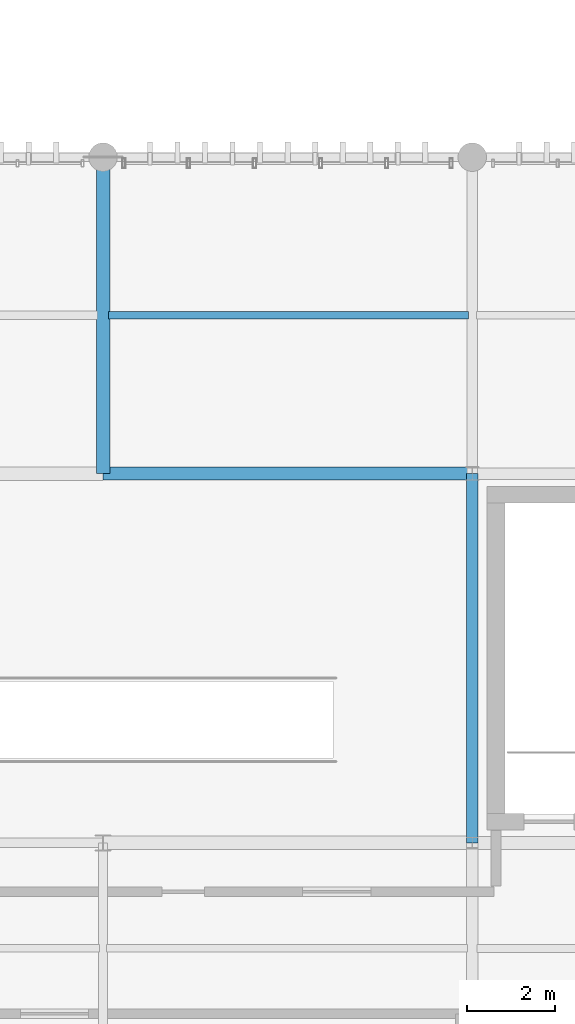
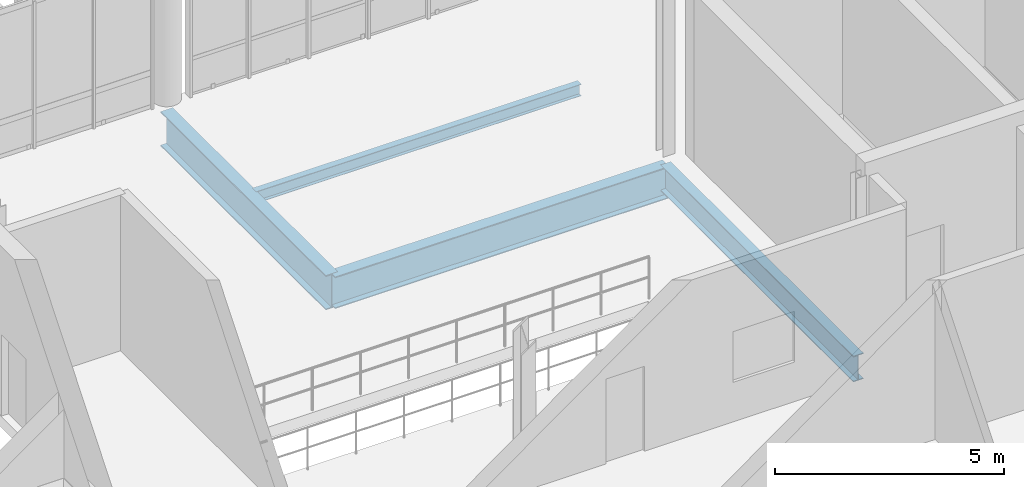
# One storey, part 27 of 66: 4 beams.
"""IFC4 building model written with IfcOpenShell, lengths in metres."""

import ifcopenshell
import ifcopenshell.guid

model = None  # the IFC model being written
_history = None  # IfcOwnerHistory: only IFC2X3 demands one
_inside = {}  # id of a spatial element -> (the spatial element, [elements in it])
_under = {}  # id of a project, library or spatial element -> (it, [spatial elements below it])
_declared = {}  # id of a project -> (the project, [libraries it declares])
_typed = {}  # id of a type object -> (the type object, [elements of that type])
_made_of = {}  # id of a material, layer set ... -> (it, [elements and type objects made of it])


def new_model(schema):
    """Start an empty IFC model of exactly this schema.

    Asked for "IFC4X3", IfcOpenShell would pick the latest addendum, in which some entities
    have other attributes; the version numbers below select the first issue.
    IFC2X3 requires an IfcOwnerHistory on every rooted entity: one is made here for all.
    """
    global model, _history
    if schema == "IFC4X3":
        model = ifcopenshell.file(schema_version=(4, 3, 0, 0))
    else:
        model = ifcopenshell.file(schema=schema)
    _inside.clear()
    _under.clear()
    _declared.clear()
    _typed.clear()
    _made_of.clear()
    _history = None
    if model.schema == "IFC2X3":
        org = make("IfcOrganization", Name="unknown")
        user = make(
            "IfcPersonAndOrganization",
            ThePerson=make("IfcPerson", FamilyName="unknown"),
            TheOrganization=org,
        )
        app = make(
            "IfcApplication",
            ApplicationDeveloper=org,
            Version="unknown",
            ApplicationFullName="unknown",
            ApplicationIdentifier="unknown",
        )
        _history = make(
            "IfcOwnerHistory",
            OwningUser=user,
            OwningApplication=app,
            ChangeAction="ADDED",
            CreationDate=0,
        )
    return model


def make(cls, **values):
    """One entity of the class cls with the attributes given. An attribute that is None is left unset."""
    return model.create_entity(
        cls, **{name: value for name, value in values.items() if value is not None}
    )


def rooted(cls, **values):
    """An entity with a GlobalId (a new one), such as an element, a storey or a relation."""
    return make(cls, GlobalId=ifcopenshell.guid.new(), OwnerHistory=_history, **values)


def si_unit(unit_type, name, prefix=None):
    """IfcSIUnit, for example si_unit("LENGTHUNIT", "METRE", prefix="MILLI")."""
    return make("IfcSIUnit", UnitType=unit_type, Prefix=prefix, Name=name)


def assignment(units):
    """IfcUnitAssignment: the units of a project."""
    return None if units is None else make("IfcUnitAssignment", Units=units)


def point(xyz):
    """IfcCartesianPoint."""
    return None if xyz is None else make("IfcCartesianPoint", Coordinates=xyz)


def direction(xyz):
    """IfcDirection."""
    return None if xyz is None else make("IfcDirection", DirectionRatios=xyz)


def frame(location, z_axis=None, x_axis=None):
    """IfcAxis2Placement3D, a coordinate frame: its origin and axes. An axis left out is left unset."""
    return make(
        "IfcAxis2Placement3D",
        Location=point(location),
        Axis=direction(z_axis),
        RefDirection=direction(x_axis),
    )


def frame_2d(location, x_axis=None):
    """IfcAxis2Placement2D, a coordinate frame in the plane: its origin and x axis."""
    return make(
        "IfcAxis2Placement2D", Location=point(location), RefDirection=direction(x_axis)
    )


def origin_with_axes():
    """The frame at (0, 0, 0) with the z axis (0, 0, 1) and the x axis (1, 0, 0) written out."""
    return frame((0.0, 0.0, 0.0), z_axis=(0.0, 0.0, 1.0), x_axis=(1.0, 0.0, 0.0))


def origin_2d_with_axis():
    """The frame at (0, 0) in the plane with the x axis (1, 0) written out."""
    return frame_2d((0.0, 0.0), x_axis=(1.0, 0.0))


def place(relative_to, where):
    """IfcLocalPlacement: puts the frame where relative to a parent placement (None: the world)."""
    return make(
        "IfcLocalPlacement", PlacementRelTo=relative_to, RelativePlacement=where
    )


def context(
    kind, dimensions, precision=None, world=None, true_north=None, identifier=None
):
    """IfcGeometricRepresentationContext, for example the 3D "Model" context."""
    return make(
        "IfcGeometricRepresentationContext",
        ContextIdentifier=identifier,
        ContextType=kind,
        CoordinateSpaceDimension=dimensions,
        Precision=precision,
        WorldCoordinateSystem=world,
        TrueNorth=true_north,
    )


def subcontext(parent, identifier, kind, view, scale=None):
    """IfcGeometricRepresentationSubContext, for example "Body" below "Model"."""
    return make(
        "IfcGeometricRepresentationSubContext",
        ContextIdentifier=identifier,
        ContextType=kind,
        ParentContext=parent,
        TargetScale=scale,
        TargetView=view,
    )


def project(units=None, contexts=None):
    """IfcProject with its units and contexts."""
    return rooted(
        "IfcProject",
        Name="project",
        RepresentationContexts=contexts,
        UnitsInContext=assignment(units),
    )


def spatial(cls, under=None, at=None, **own):
    """A site, building, storey or space (cls), placed at a placement, below another one or the project."""
    s = rooted(cls, ObjectPlacement=at, **own)
    if under is not None:
        _under.setdefault(under.id(), (under, []))[1].append(s)
    return s


def profile(cls, at=None, kind="AREA", **sizes):
    """A parametric profile (cls). Its sizes go by their IFC names, for example OverallWidth=200.0."""
    return make(cls, ProfileType=kind, Position=at, **sizes)


def i_section(**sizes):
    """IfcIShapeProfileDef."""
    return profile("IfcIShapeProfileDef", **sizes)


def extrude(swept, where, along, depth):
    """IfcExtrudedAreaSolid: the profile swept, set in the frame where, extruded along a direction by depth."""
    return make(
        "IfcExtrudedAreaSolid",
        SweptArea=swept,
        Position=where,
        ExtrudedDirection=direction(along),
        Depth=depth,
    )


def shape(context_of_items, identifier, shape_type, items):
    """IfcShapeRepresentation: the items that make up one representation, for example the "Body"."""
    return make(
        "IfcShapeRepresentation",
        ContextOfItems=context_of_items,
        RepresentationIdentifier=identifier,
        RepresentationType=shape_type,
        Items=items,
    )


def material(Name=None, Category=None):
    """IfcMaterial."""
    return make("IfcMaterial", Name=Name, Category=Category)


def material_profile(
    of_material, cross_section, Name=None, Category=None, Priority=None
):
    """IfcMaterialProfile: a cross section and its material."""
    return make(
        "IfcMaterialProfile",
        Name=Name,
        Material=of_material,
        Profile=cross_section,
        Priority=Priority,
        Category=Category,
    )


def profile_set(profiles, Name=None, composite=None):
    """IfcMaterialProfileSet."""
    return make(
        "IfcMaterialProfileSet",
        Name=Name,
        MaterialProfiles=profiles,
        CompositeProfile=composite,
    )


def made_of(thing, what):
    """Note that an element or type object is made of a material, layer set ...; save() writes the relation."""
    if what is not None:
        _made_of.setdefault(what.id(), (what, []))[1].append(thing)
    return thing


def type_object(cls, material=None, **own):
    """A type object (cls), such as IfcWallType, which elements share."""
    return made_of(rooted(cls, **own), material)


def element(
    cls,
    number,
    at=None,
    inside=None,
    cuts=None,
    type_object=None,
    material=None,
    context=None,
    identifier="Body",
    shape_type=None,
    held_by="IfcProductDefinitionShape",
    body=None,
    shapes=None,
    **own,
):
    """One element of the class cls, such as IfcWall. Its Tag is "e" and its number.

    at: its placement. inside: the storey or other place that contains it. cuts: it is an
    opening in that element (IfcRelVoidsElement). A single representation is given by context,
    identifier, shape_type and body (its items); several are given by shapes. held_by: the class
    of the entity that holds the representations. save() writes the other relations.
    """
    e = rooted(cls, Tag="e%d" % number, ObjectPlacement=at, **own)
    if body is not None:
        shapes = [shape(context, identifier, shape_type, body)]
    if shapes is not None:
        e.Representation = make(held_by, Representations=shapes)
    if inside is not None:
        _inside.setdefault(inside.id(), (inside, []))[1].append(e)
    if cuts is not None:
        rooted(
            "IfcRelVoidsElement", RelatingBuildingElement=cuts, RelatedOpeningElement=e
        )
    if type_object is not None:
        _typed.setdefault(type_object.id(), (type_object, []))[1].append(e)
    return made_of(e, material)


def aggregate(whole, parts):
    """IfcRelAggregates: a whole, such as a stair, and the parts it consists of."""
    return rooted("IfcRelAggregates", RelatingObject=whole, RelatedObjects=parts)


def save(model, path):
    """Write the relations noted so far, then the file.

    IfcRelAggregates (storeys below a building ...), IfcRelContainedInSpatialStructure (elements
    in a storey), IfcRelDefinesByType, IfcRelAssociatesMaterial and IfcRelDeclares: one each for
    every whole, place, type object, material and project.
    """
    for whole, parts in _under.values():
        aggregate(whole, parts)
    for where, things in _inside.values():
        rooted(
            "IfcRelContainedInSpatialStructure",
            RelatedElements=things,
            RelatingStructure=where,
        )
    for kind, things in _typed.values():
        rooted("IfcRelDefinesByType", RelatedObjects=things, RelatingType=kind)
    for what, things in _made_of.values():
        rooted("IfcRelAssociatesMaterial", RelatedObjects=things, RelatingMaterial=what)
    for by, libraries in _declared.values():
        rooted("IfcRelDeclares", RelatingContext=by, RelatedDefinitions=libraries)
    model.write(path)


model = new_model("IFC4")

# Units and contexts
model_context = context("Model", 3, precision=1e-05, world=origin_with_axes(), true_north=direction((0.0, 1.0)))
body_context = subcontext(model_context, "Body", "Model", "MODEL_VIEW")
ifc_project = project(units=[si_unit("LENGTHUNIT", "METRE"), si_unit("AREAUNIT", "SQUARE_METRE"), si_unit("VOLUMEUNIT", "CUBIC_METRE"), si_unit("PLANEANGLEUNIT", "RADIAN"), si_unit("MASSUNIT", "GRAM", prefix="KILO"), si_unit("THERMODYNAMICTEMPERATUREUNIT", "KELVIN")], contexts=[model_context])

# Site, building, storey
site_placement = place(None, origin_with_axes())
site = spatial("IfcSite", under=ifc_project, at=site_placement, CompositionType="ELEMENT")
building_placement = place(site_placement, origin_with_axes())
building = spatial("IfcBuilding", under=site, at=building_placement, Name="Montbau Bow Law Courts", CompositionType="ELEMENT")
storey_placement = place(building_placement, frame((0.0, 0.0, 34.5), z_axis=(0.0, 0.0, 1.0), x_axis=(1.0, 0.0, 0.0)))
storey = spatial("IfcBuildingStorey", under=building, at=storey_placement, Name="L07", CompositionType="ELEMENT", Elevation=34.5)

# Beams
ifc_material = material(Name="Steel CSA G40.21 Grade 350W (350 MPa)", Category="steel")
ifc_material_profile_1 = material_profile(ifc_material, i_section(OverallWidth=0.306, OverallDepth=0.919, WebThickness=0.0173, FlangeThickness=0.0279, at=origin_2d_with_axis()), Name="W920X253", Category="Main", Priority=0)
ifc_profile_set_1 = profile_set([ifc_material_profile_1], Name="Steel CSA G40.21 Grade 350W (350 MPa)")
beam_type_1 = type_object("IfcBeamType", Name="B-FLR-01", PredefinedType="BEAM", material=ifc_profile_set_1)
beam_1_placement = place(None, frame((72.0, 54.6, 33.741), z_axis=(0.0, 1.0, 0.0), x_axis=(-1.0, 0.0, 0.0)))
element("IfcBeam", 1, at=beam_1_placement, inside=storey, type_object=beam_type_1, Name="BM-L07-S1049:bm2_1052", PredefinedType="BEAM", context=body_context, shape_type="SweptSolid", body=[
    extrude(i_section(OverallWidth=0.306, OverallDepth=0.919, WebThickness=0.0173, FlangeThickness=0.0279, at=origin_2d_with_axis()), origin_with_axes(), (0.0, 0.0, 1.0), 7.2),
])
ifc_material_profile_2 = material_profile(ifc_material, i_section(OverallWidth=0.293, OverallDepth=0.846, WebThickness=0.0154, FlangeThickness=0.0244, at=origin_2d_with_axis()), Name="W840X210", Category="Main", Priority=0)
ifc_profile_set_2 = profile_set([ifc_material_profile_2], Name="Steel CSA G40.21 Grade 350W (350 MPa)")
beam_type_2 = type_object("IfcBeamType", Name="B-FLR-02", PredefinedType="BEAM", material=ifc_profile_set_2)
beam_2_placement = place(None, frame((72.0, 54.6, 33.777), z_axis=(1.0, 0.0, 0.0), x_axis=(0.0, 1.0, 0.0)))
element("IfcBeam", 2, at=beam_2_placement, inside=storey, type_object=beam_type_2, Name="BM-L07-S1032:bm2_1035", PredefinedType="BEAM", context=body_context, shape_type="SweptSolid", body=[
    extrude(i_section(OverallWidth=0.293, OverallDepth=0.846, WebThickness=0.0154, FlangeThickness=0.0244, at=origin_2d_with_axis()), origin_with_axes(), (0.0, 0.0, 1.0), 8.4),
])
ifc_material_profile_3 = material_profile(ifc_material, i_section(OverallWidth=0.254, OverallDepth=0.688, WebThickness=0.0131, FlangeThickness=0.0211, at=origin_2d_with_axis()), Name="W690X152", Category="Main", Priority=0)
ifc_profile_set_3 = profile_set([ifc_material_profile_3], Name="Steel CSA G40.21 Grade 350W (350 MPa)")
beam_type_3 = type_object("IfcBeamType", Name="B-FLR-04", PredefinedType="BEAM", material=ifc_profile_set_3)
beam_3_placement = place(None, frame((80.4, 46.2, 33.856), z_axis=(0.0, 1.0, 0.0), x_axis=(-1.0, 0.0, 0.0)))
element("IfcBeam", 3, at=beam_3_placement, inside=storey, type_object=beam_type_3, Name="BM-L07-S1051:bm2_1054", PredefinedType="BEAM", context=body_context, shape_type="SweptSolid", body=[
    extrude(i_section(OverallWidth=0.254, OverallDepth=0.688, WebThickness=0.0131, FlangeThickness=0.0211, at=origin_2d_with_axis()), origin_with_axes(), (0.0, 0.0, 1.0), 8.4),
])
ifc_material_profile_4 = material_profile(ifc_material, i_section(OverallWidth=0.166, OverallDepth=0.313, WebThickness=0.0066, FlangeThickness=0.0112, at=origin_2d_with_axis()), Name="W310X45", Category="Main", Priority=0)
ifc_profile_set_4 = profile_set([ifc_material_profile_4], Name="Steel CSA G40.21 Grade 350W (350 MPa)")
beam_type_4 = type_object("IfcBeamType", Name="B-JST-04", PredefinedType="JOIST", material=ifc_profile_set_4)
beam_4_placement = place(None, frame((72.129, 58.2, 34.044), z_axis=(1.0, 0.0, 0.0), x_axis=(0.0, 1.0, 0.0)))
element("IfcBeam", 4, at=beam_4_placement, inside=storey, type_object=beam_type_4, Name="JST-L07-S0535:jst2_0535", PredefinedType="JOIST", context=body_context, shape_type="SweptSolid", body=[
    extrude(i_section(OverallWidth=0.166, OverallDepth=0.313, WebThickness=0.0066, FlangeThickness=0.0112, at=origin_2d_with_axis()), origin_with_axes(), (0.0, 0.0, 1.0), 8.18),
])

save(model, "model.ifc")
